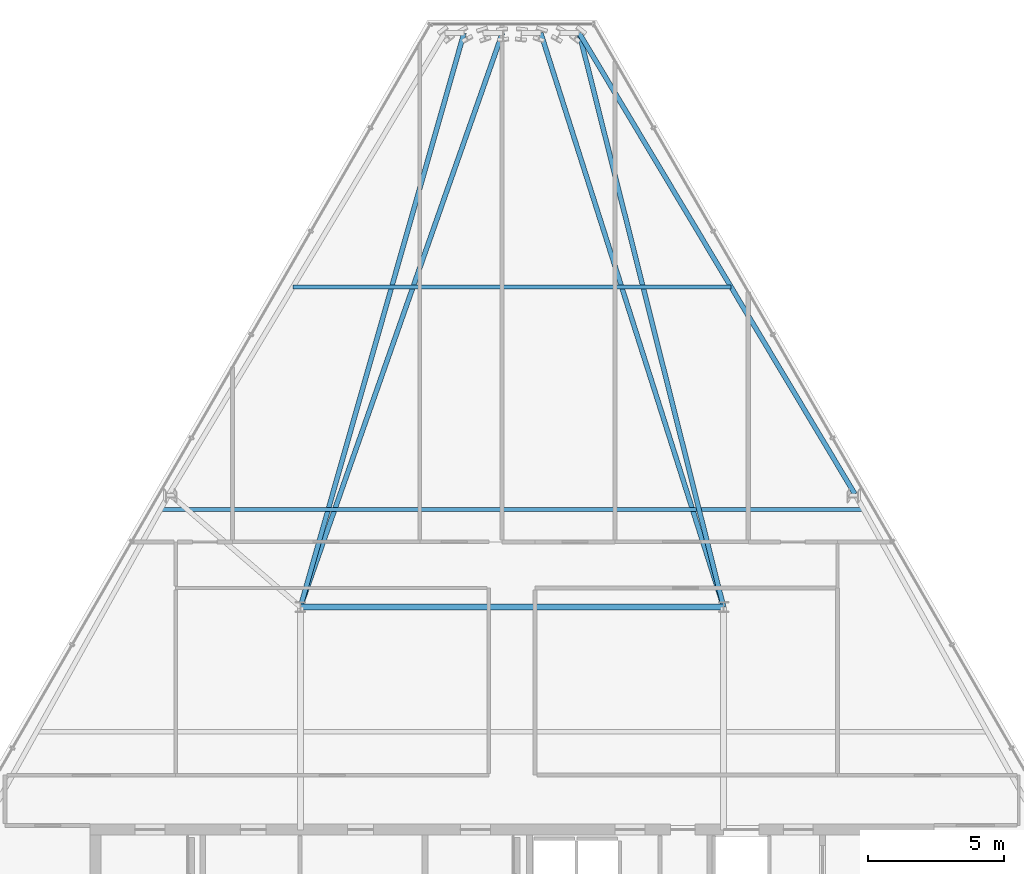
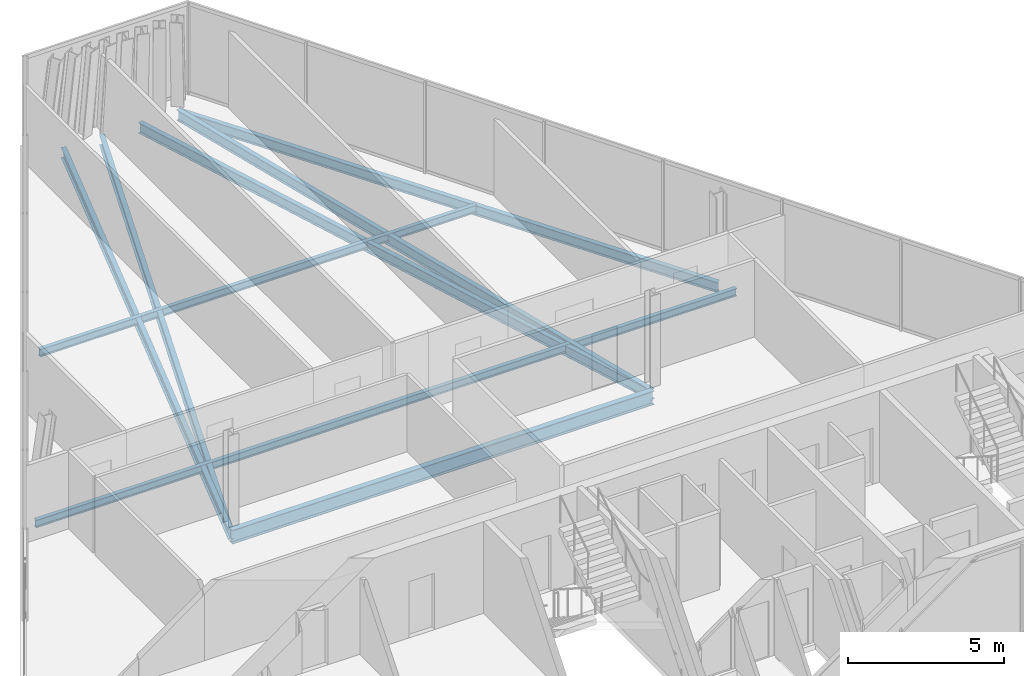
# One storey, part 16 of 32: 8 beams.
"""IFC4 building model written with IfcOpenShell, lengths in metres."""

import ifcopenshell
import ifcopenshell.guid

model = None  # the IFC model being written
_history = None  # IfcOwnerHistory: only IFC2X3 demands one
_inside = {}  # id of a spatial element -> (the spatial element, [elements in it])
_under = {}  # id of a project, library or spatial element -> (it, [spatial elements below it])
_declared = {}  # id of a project -> (the project, [libraries it declares])
_typed = {}  # id of a type object -> (the type object, [elements of that type])
_made_of = {}  # id of a material, layer set ... -> (it, [elements and type objects made of it])


def new_model(schema):
    """Start an empty IFC model of exactly this schema.

    Asked for "IFC4X3", IfcOpenShell would pick the latest addendum, in which some entities
    have other attributes; the version numbers below select the first issue.
    IFC2X3 requires an IfcOwnerHistory on every rooted entity: one is made here for all.
    """
    global model, _history
    if schema == "IFC4X3":
        model = ifcopenshell.file(schema_version=(4, 3, 0, 0))
    else:
        model = ifcopenshell.file(schema=schema)
    _inside.clear()
    _under.clear()
    _declared.clear()
    _typed.clear()
    _made_of.clear()
    _history = None
    if model.schema == "IFC2X3":
        org = make("IfcOrganization", Name="unknown")
        user = make(
            "IfcPersonAndOrganization",
            ThePerson=make("IfcPerson", FamilyName="unknown"),
            TheOrganization=org,
        )
        app = make(
            "IfcApplication",
            ApplicationDeveloper=org,
            Version="unknown",
            ApplicationFullName="unknown",
            ApplicationIdentifier="unknown",
        )
        _history = make(
            "IfcOwnerHistory",
            OwningUser=user,
            OwningApplication=app,
            ChangeAction="ADDED",
            CreationDate=0,
        )
    return model


def make(cls, **values):
    """One entity of the class cls with the attributes given. An attribute that is None is left unset."""
    return model.create_entity(
        cls, **{name: value for name, value in values.items() if value is not None}
    )


def rooted(cls, **values):
    """An entity with a GlobalId (a new one), such as an element, a storey or a relation."""
    return make(cls, GlobalId=ifcopenshell.guid.new(), OwnerHistory=_history, **values)


def si_unit(unit_type, name, prefix=None):
    """IfcSIUnit, for example si_unit("LENGTHUNIT", "METRE", prefix="MILLI")."""
    return make("IfcSIUnit", UnitType=unit_type, Prefix=prefix, Name=name)


def assignment(units):
    """IfcUnitAssignment: the units of a project."""
    return None if units is None else make("IfcUnitAssignment", Units=units)


def point(xyz):
    """IfcCartesianPoint."""
    return None if xyz is None else make("IfcCartesianPoint", Coordinates=xyz)


def direction(xyz):
    """IfcDirection."""
    return None if xyz is None else make("IfcDirection", DirectionRatios=xyz)


def frame(location, z_axis=None, x_axis=None):
    """IfcAxis2Placement3D, a coordinate frame: its origin and axes. An axis left out is left unset."""
    return make(
        "IfcAxis2Placement3D",
        Location=point(location),
        Axis=direction(z_axis),
        RefDirection=direction(x_axis),
    )


def frame_2d(location, x_axis=None):
    """IfcAxis2Placement2D, a coordinate frame in the plane: its origin and x axis."""
    return make(
        "IfcAxis2Placement2D", Location=point(location), RefDirection=direction(x_axis)
    )


def origin():
    """The frame at (0, 0, 0) with its axes left unset."""
    return frame((0.0, 0.0, 0.0))


def origin_2d():
    """The frame at (0, 0) in the plane with its x axis left unset."""
    return frame_2d((0.0, 0.0))


def place(relative_to, where):
    """IfcLocalPlacement: puts the frame where relative to a parent placement (None: the world)."""
    return make(
        "IfcLocalPlacement", PlacementRelTo=relative_to, RelativePlacement=where
    )


def context(
    kind, dimensions, precision=None, world=None, true_north=None, identifier=None
):
    """IfcGeometricRepresentationContext, for example the 3D "Model" context."""
    return make(
        "IfcGeometricRepresentationContext",
        ContextIdentifier=identifier,
        ContextType=kind,
        CoordinateSpaceDimension=dimensions,
        Precision=precision,
        WorldCoordinateSystem=world,
        TrueNorth=true_north,
    )


def subcontext(parent, identifier, kind, view, scale=None):
    """IfcGeometricRepresentationSubContext, for example "Body" below "Model"."""
    return make(
        "IfcGeometricRepresentationSubContext",
        ContextIdentifier=identifier,
        ContextType=kind,
        ParentContext=parent,
        TargetScale=scale,
        TargetView=view,
    )


def project(units=None, contexts=None):
    """IfcProject with its units and contexts."""
    return rooted(
        "IfcProject",
        Name="project",
        RepresentationContexts=contexts,
        UnitsInContext=assignment(units),
    )


def spatial(cls, under=None, at=None, **own):
    """A site, building, storey or space (cls), placed at a placement, below another one or the project."""
    s = rooted(cls, ObjectPlacement=at, **own)
    if under is not None:
        _under.setdefault(under.id(), (under, []))[1].append(s)
    return s


def profile(cls, at=None, kind="AREA", **sizes):
    """A parametric profile (cls). Its sizes go by their IFC names, for example OverallWidth=200.0."""
    return make(cls, ProfileType=kind, Position=at, **sizes)


def i_section(**sizes):
    """IfcIShapeProfileDef."""
    return profile("IfcIShapeProfileDef", **sizes)


def extrude(swept, where, along, depth):
    """IfcExtrudedAreaSolid: the profile swept, set in the frame where, extruded along a direction by depth."""
    return make(
        "IfcExtrudedAreaSolid",
        SweptArea=swept,
        Position=where,
        ExtrudedDirection=direction(along),
        Depth=depth,
    )


def shape(context_of_items, identifier, shape_type, items):
    """IfcShapeRepresentation: the items that make up one representation, for example the "Body"."""
    return make(
        "IfcShapeRepresentation",
        ContextOfItems=context_of_items,
        RepresentationIdentifier=identifier,
        RepresentationType=shape_type,
        Items=items,
    )


def material(Name=None, Category=None):
    """IfcMaterial."""
    return make("IfcMaterial", Name=Name, Category=Category)


def material_profile(
    of_material, cross_section, Name=None, Category=None, Priority=None
):
    """IfcMaterialProfile: a cross section and its material."""
    return make(
        "IfcMaterialProfile",
        Name=Name,
        Material=of_material,
        Profile=cross_section,
        Priority=Priority,
        Category=Category,
    )


def profile_set(profiles, Name=None, composite=None):
    """IfcMaterialProfileSet."""
    return make(
        "IfcMaterialProfileSet",
        Name=Name,
        MaterialProfiles=profiles,
        CompositeProfile=composite,
    )


def made_of(thing, what):
    """Note that an element or type object is made of a material, layer set ...; save() writes the relation."""
    if what is not None:
        _made_of.setdefault(what.id(), (what, []))[1].append(thing)
    return thing


def type_object(cls, material=None, **own):
    """A type object (cls), such as IfcWallType, which elements share."""
    return made_of(rooted(cls, **own), material)


def element(
    cls,
    number,
    at=None,
    inside=None,
    cuts=None,
    type_object=None,
    material=None,
    context=None,
    identifier="Body",
    shape_type=None,
    held_by="IfcProductDefinitionShape",
    body=None,
    shapes=None,
    **own,
):
    """One element of the class cls, such as IfcWall. Its Tag is "e" and its number.

    at: its placement. inside: the storey or other place that contains it. cuts: it is an
    opening in that element (IfcRelVoidsElement). A single representation is given by context,
    identifier, shape_type and body (its items); several are given by shapes. held_by: the class
    of the entity that holds the representations. save() writes the other relations.
    """
    e = rooted(cls, Tag="e%d" % number, ObjectPlacement=at, **own)
    if body is not None:
        shapes = [shape(context, identifier, shape_type, body)]
    if shapes is not None:
        e.Representation = make(held_by, Representations=shapes)
    if inside is not None:
        _inside.setdefault(inside.id(), (inside, []))[1].append(e)
    if cuts is not None:
        rooted(
            "IfcRelVoidsElement", RelatingBuildingElement=cuts, RelatedOpeningElement=e
        )
    if type_object is not None:
        _typed.setdefault(type_object.id(), (type_object, []))[1].append(e)
    return made_of(e, material)


def aggregate(whole, parts):
    """IfcRelAggregates: a whole, such as a stair, and the parts it consists of."""
    return rooted("IfcRelAggregates", RelatingObject=whole, RelatedObjects=parts)


def save(model, path):
    """Write the relations noted so far, then the file.

    IfcRelAggregates (storeys below a building ...), IfcRelContainedInSpatialStructure (elements
    in a storey), IfcRelDefinesByType, IfcRelAssociatesMaterial and IfcRelDeclares: one each for
    every whole, place, type object, material and project.
    """
    for whole, parts in _under.values():
        aggregate(whole, parts)
    for where, things in _inside.values():
        rooted(
            "IfcRelContainedInSpatialStructure",
            RelatedElements=things,
            RelatingStructure=where,
        )
    for kind, things in _typed.values():
        rooted("IfcRelDefinesByType", RelatedObjects=things, RelatingType=kind)
    for what, things in _made_of.values():
        rooted("IfcRelAssociatesMaterial", RelatedObjects=things, RelatingMaterial=what)
    for by, libraries in _declared.values():
        rooted("IfcRelDeclares", RelatingContext=by, RelatedDefinitions=libraries)
    model.write(path)


model = new_model("IFC4")

# Units and contexts
model_context = context("Model", 3, precision=1e-05, world=origin(), true_north=direction((0.0, 1.0)))
body_context = subcontext(model_context, "Body", "Model", "MODEL_VIEW")
ifc_project = project(units=[si_unit("LENGTHUNIT", "METRE"), si_unit("AREAUNIT", "SQUARE_METRE"), si_unit("VOLUMEUNIT", "CUBIC_METRE"), si_unit("PLANEANGLEUNIT", "RADIAN"), si_unit("MASSUNIT", "GRAM", prefix="KILO")], contexts=[model_context])

# Site, building, storey
site_placement = place(None, origin())
site = spatial("IfcSite", under=ifc_project, at=site_placement, CompositionType="ELEMENT")
building_placement = place(site_placement, origin())
building = spatial("IfcBuilding", under=site, at=building_placement, Name="Ndaravel Arena Tower", CompositionType="ELEMENT")
storey_placement = place(building_placement, frame((0.0, 0.0, 259.800048828125)))
storey = spatial("IfcBuildingStorey", under=building, at=storey_placement, Name="L63", CompositionType="ELEMENT", Elevation=259.800048828125)

# Beams
ifc_material_1 = material(Name="Steel S355", Category="steel")
ifc_material_profile_1 = material_profile(ifc_material_1, i_section(OverallWidth=0.1787109375, OverallDepth=0.409423828125, WebThickness=0.0087890625, FlangeThickness=0.014404296875, FilletRadius=0.01025390625, at=origin_2d()), Name="UB 406x178x67")
ifc_profile_set_1 = profile_set([ifc_material_profile_1], Name="Steel S355")
beam_type_1 = type_object("IfcBeamType", Name="BM-GIRD-UB406", PredefinedType="BEAM", material=ifc_profile_set_1)
beam_1_placement = place(storey_placement, frame((44.475341796875, 44.359619140625, -0.4248046875), z_axis=(0.244036001277, -0.969766172889, 0.0), x_axis=(0.969766172889, 0.244036001277, 0.0)))
element("IfcBeam", 1, at=beam_1_placement, inside=storey, type_object=beam_type_1, Name="L63 Radial Floor Girder FG-11", PredefinedType="BEAM", context=body_context, shape_type="SweptSolid", body=[
    extrude(i_section(OverallWidth=0.1787109375, OverallDepth=0.409423828125, WebThickness=0.0087890625, FlangeThickness=0.014404296875, FilletRadius=0.01025390625, at=origin_2d()), origin(), (0.0, 0.0, 1.0), 21.8193359375),
])
beam_2_placement = place(storey_placement, frame((43.060791015625, 44.359619140625, -0.4248046875), z_axis=(0.303475006068, -0.952839399213, 0.0), x_axis=(0.952839399213, 0.303475006068, 0.0)))
element("IfcBeam", 2, at=beam_2_placement, inside=storey, type_object=beam_type_1, Name="L63 Radial Floor Girder FG-13", PredefinedType="BEAM", context=body_context, shape_type="SweptSolid", body=[
    extrude(i_section(OverallWidth=0.1787109375, OverallDepth=0.409423828125, WebThickness=0.0087890625, FlangeThickness=0.014404296875, FilletRadius=0.01025390625, at=origin_2d()), origin(), (0.0, 0.0, 1.0), 22.20703125),
])
beam_3_placement = place(storey_placement, frame((41.646484375, 44.359619140625, -0.4248046875), z_axis=(-0.33196431946, -0.943291943465, 0.0), x_axis=(0.943291943465, -0.33196431946, 0.0)))
element("IfcBeam", 3, at=beam_3_placement, inside=storey, type_object=beam_type_1, Name="L63 Radial Floor Girder FG-15", PredefinedType="BEAM", context=body_context, shape_type="SweptSolid", body=[
    extrude(i_section(OverallWidth=0.1787109375, OverallDepth=0.409423828125, WebThickness=0.0087890625, FlangeThickness=0.014404296875, FilletRadius=0.01025390625, at=origin_2d()), origin(), (0.0, 0.0, 1.0), 22.431640625),
])
beam_4_placement = place(storey_placement, frame((40.23193359375, 44.359619140625, -0.4248046875), z_axis=(-0.274148066609, -0.961687494758, 0.0), x_axis=(0.961687494758, -0.274148066609, 0.0)))
element("IfcBeam", 4, at=beam_4_placement, inside=storey, type_object=beam_type_1, Name="L63 Radial Floor Girder FG-17", PredefinedType="BEAM", context=body_context, shape_type="SweptSolid", body=[
    extrude(i_section(OverallWidth=0.1787109375, OverallDepth=0.409423828125, WebThickness=0.0087890625, FlangeThickness=0.014404296875, FilletRadius=0.01025390625, at=origin_2d()), origin(), (0.0, 0.0, 1.0), 22.002685546875),
])
ifc_material_2 = material(Name="Steel S355", Category="steel")
ifc_material_profile_2 = material_profile(ifc_material_2, i_section(OverallWidth=0.210693359375, OverallDepth=0.53955078125, WebThickness=0.01171875, FlangeThickness=0.018798828125, FilletRadius=0.0126953125, at=origin_2d()), Name="UB 533x210x109")
ifc_profile_set_2 = profile_set([ifc_material_profile_2], Name="Steel S355")
beam_type_2 = type_object("IfcBeamType", Name="BM-GIRD-UB533", PredefinedType="BEAM", material=ifc_profile_set_2)
beam_5_placement = place(storey_placement, frame((34.199951171875, 23.199951171875, -0.48974609375), z_axis=(1.0, 0.0, 0.0), x_axis=(0.0, 1.0, 0.0)))
element("IfcBeam", 5, at=beam_5_placement, inside=storey, type_object=beam_type_2, Name="L63 Spine Link Girder SLG-03", PredefinedType="BEAM", context=body_context, shape_type="SweptSolid", body=[
    extrude(i_section(OverallWidth=0.210693359375, OverallDepth=0.53955078125, WebThickness=0.01171875, FlangeThickness=0.018798828125, FilletRadius=0.0126953125, at=origin_2d()), origin(), (0.0, 0.0, 1.0), 15.60009765625),
])
ifc_material_3 = material(Name="Steel S355", Category="steel")
ifc_material_profile_3 = material_profile(ifc_material_3, i_section(OverallWidth=0.14990234375, OverallDepth=0.300048828125, WebThickness=0.007080078125, FlangeThickness=0.0107421875, FilletRadius=0.014892578125, at=origin_2d()), Name="IPE 300")
ifc_profile_set_3 = profile_set([ifc_material_profile_3], Name="Steel S355")
beam_type_3 = type_object("IfcBeamType", Name="BM-JOIST-IPE300", PredefinedType="JOIST", material=ifc_profile_set_3)
beam_6_placement = place(storey_placement, frame((29.044677734375, 26.800048828125, -0.3701171875), z_axis=(1.0, 0.0, 0.0), x_axis=(0.0, 1.0, 0.0)))
element("IfcBeam", 6, at=beam_6_placement, inside=storey, type_object=beam_type_3, Name="L63 Composite Floor Joist FJ-02", PredefinedType="JOIST", context=body_context, shape_type="SweptSolid", body=[
    extrude(i_section(OverallWidth=0.14990234375, OverallDepth=0.300048828125, WebThickness=0.007080078125, FlangeThickness=0.0107421875, FilletRadius=0.014892578125, at=origin_2d()), origin(), (0.0, 0.0, 1.0), 25.91064453125),
])
beam_7_placement = place(storey_placement, frame((33.926025390625, 35.0, -0.3701171875), z_axis=(1.0, 0.0, 0.0), x_axis=(0.0, 1.0, 0.0)))
element("IfcBeam", 7, at=beam_7_placement, inside=storey, type_object=beam_type_3, Name="L63 Composite Floor Joist FJ-03", PredefinedType="JOIST", context=body_context, shape_type="SweptSolid", body=[
    extrude(i_section(OverallWidth=0.14990234375, OverallDepth=0.300048828125, WebThickness=0.007080078125, FlangeThickness=0.0107421875, FilletRadius=0.014892578125, at=origin_2d()), origin(), (0.0, 0.0, 1.0), 16.14794921875),
])
ifc_material_4 = material(Name="Steel S355", Category="steel")
ifc_material_profile_4 = material_profile(ifc_material_4, i_section(OverallWidth=0.179931640625, OverallDepth=0.39990234375, WebThickness=0.008544921875, FlangeThickness=0.013427734375, FilletRadius=0.02099609375, at=origin_2d()), Name="IPE 400")
ifc_profile_set_4 = profile_set([ifc_material_profile_4], Name="Steel S355")
beam_type_4 = type_object("IfcBeamType", Name="BM-SPAN-IPE400", PredefinedType="SPANDREL", material=ifc_profile_set_4)
beam_8_placement = place(storey_placement, frame((54.63818359375, 27.36962890625, -0.420166015625), z_axis=(-0.513338268599, 0.858186356214, 0.0), x_axis=(-0.858186356214, -0.513338268599, 0.0)))
element("IfcBeam", 8, at=beam_8_placement, inside=storey, type_object=beam_type_4, Name="L63 Perimeter Spandrel Beam SP-10", PredefinedType="SPANDREL", context=body_context, shape_type="SweptSolid", body=[
    extrude(i_section(OverallWidth=0.179931640625, OverallDepth=0.39990234375, WebThickness=0.008544921875, FlangeThickness=0.013427734375, FilletRadius=0.02099609375, at=origin_2d()), origin(), (0.0, 0.0, 1.0), 19.797607421875),
])

save(model, "model.ifc")
